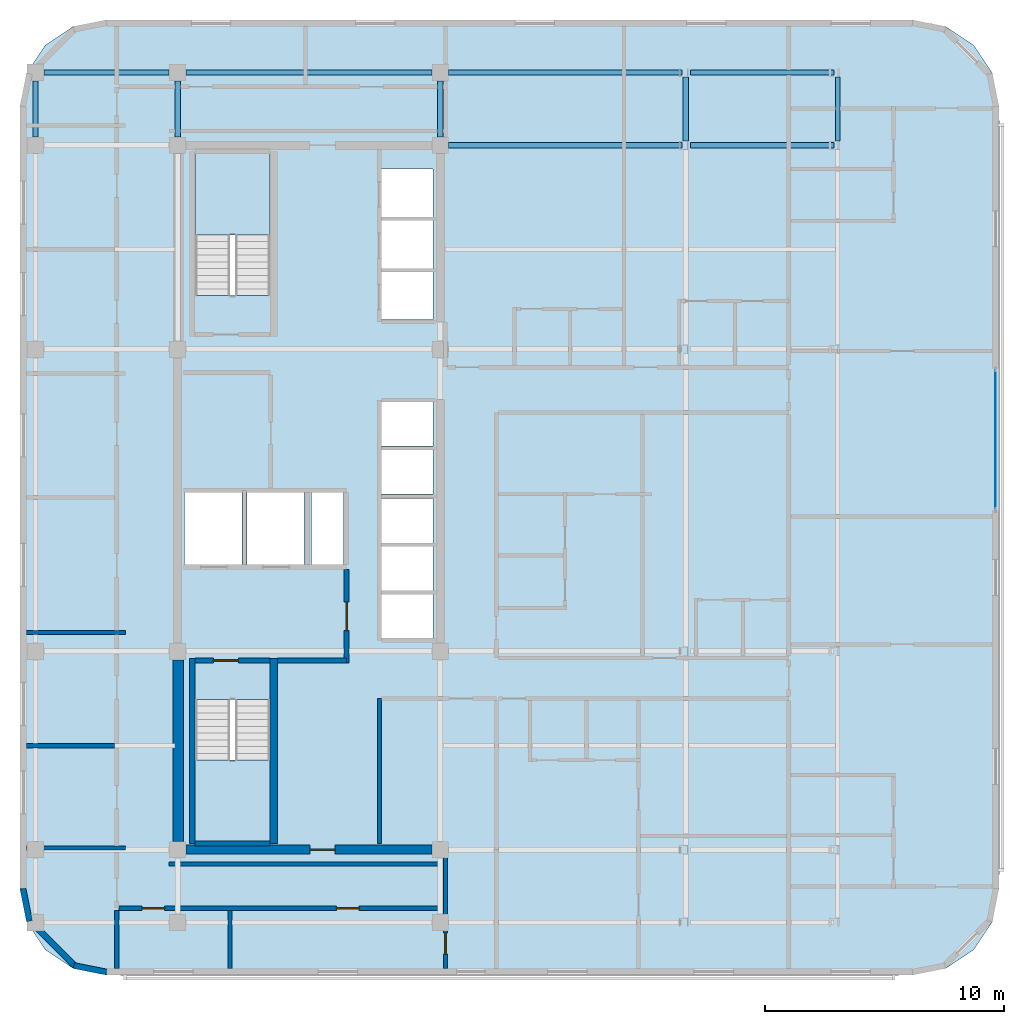
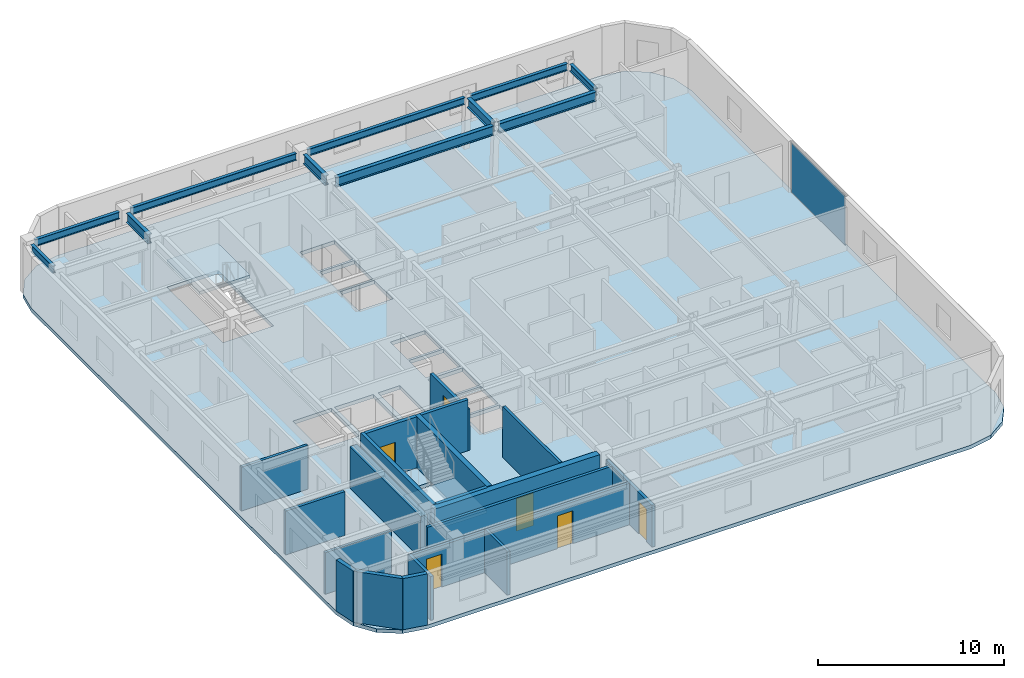
# One storey, part 3 of 11: 20 walls, 11 beams, 6 doors, 3 slabs, 1 plate, 6 openings, 3 elements without a shape of their own.
"""IFC4 building model written with IfcOpenShell, lengths in metres."""

from ifc_helpers import new_model, si_unit, direction, frame, frame_2d, origin, origin_2d, place, context, subcontext, project, spatial, polyline, rectangle, i_section, outline, extrude, material, layer, layer_set, material_profile, profile_set, type_object, element, fill, aggregate, save


model = new_model("IFC4")

# Units and contexts
model_context = context("Model", 3, precision=1e-05, world=origin(), true_north=direction((0.0, 1.0)))
body_context = subcontext(model_context, "Body", "Model", "MODEL_VIEW")
ifc_project = project(units=[si_unit("LENGTHUNIT", "METRE"), si_unit("AREAUNIT", "SQUARE_METRE"), si_unit("VOLUMEUNIT", "CUBIC_METRE"), si_unit("PLANEANGLEUNIT", "RADIAN"), si_unit("MASSUNIT", "GRAM", prefix="KILO")], contexts=[model_context])

# Site, building, storey
site_placement = place(None, origin())
site = spatial("IfcSite", under=ifc_project, at=site_placement, CompositionType="ELEMENT")
building_placement = place(site_placement, origin())
building = spatial("IfcBuilding", under=site, at=building_placement, Name="Ochreholt Gables", CompositionType="ELEMENT")
storey_placement = place(building_placement, frame((0.0, 0.0, 155.39990234375)))
storey = spatial("IfcBuildingStorey", under=building, at=storey_placement, Name="L40", CompositionType="ELEMENT", Elevation=155.39990234375)

# Beams
ifc_material_1 = material(Name="Steel CSA G40.21 350W", Category="steel")
ifc_material_profile_1 = material_profile(ifc_material_1, i_section(OverallWidth=0.22900390625, OverallDepth=0.612060546875, WebThickness=0.011962890625, FlangeThickness=0.01953125, at=origin_2d()), Name="W610X125")
ifc_profile_set_1 = profile_set([ifc_material_profile_1], Name="Steel CSA G40.21 350W")
beam_type_1 = type_object("IfcBeamType", Name="BM-G-W610B", PredefinedType="BEAM", material=ifc_profile_set_1)
beam_1_placement = place(storey_placement, frame((35.549560546875, 38.75, 3.05419921875), z_axis=(1.0, 0.0, 0.0), x_axis=(0.0, 1.0, 0.0)))
element("IfcBeam", 1, at=beam_1_placement, inside=storey, type_object=beam_type_1, Name="L40 Beam TBG-L40-C2EM-Y5", PredefinedType="BEAM", context=body_context, shape_type="SweptSolid", body=[
    extrude(i_section(OverallWidth=0.22900390625, OverallDepth=0.612060546875, WebThickness=0.011962890625, FlangeThickness=0.01953125, at=origin_2d()), origin(), (0.0, 0.0, 1.0), 9.77392578125),
])
beam_2_placement = place(storey_placement, frame((45.6787109375, 38.75, 3.05419921875), z_axis=(1.0, 0.0, 0.0), x_axis=(0.0, 1.0, 0.0)))
element("IfcBeam", 2, at=beam_2_placement, inside=storey, type_object=beam_type_1, Name="L40 Beam TBG-L40-EMEE-Y5", PredefinedType="BEAM", context=body_context, shape_type="SweptSolid", body=[
    extrude(i_section(OverallWidth=0.22900390625, OverallDepth=0.612060546875, WebThickness=0.011962890625, FlangeThickness=0.01953125, at=origin_2d()), origin(), (0.0, 0.0, 1.0), 6.0224609375),
])
for number, where, z_axis, x_axis, name in (
    (3, (24.199951171875, 39.099609375, 3.05419921875), (0.0, 1.0, 0.0), (-1.0, 0.0, 0.0), "L40 Beam TBN-L40-C1-Y5Y6"),
    (4, (35.199951171875, 39.099609375, 3.05419921875), (0.0, 1.0, 0.0), (-1.0, 0.0, 0.0), "L40 Beam TBN-L40-C2-Y5Y6"),
):
    element("IfcBeam", number, at=place(storey_placement, frame(where, z_axis=z_axis, x_axis=x_axis)), inside=storey, type_object=beam_type_1, Name=name, PredefinedType="BEAM", context=body_context, shape_type="SweptSolid", body=[
        extrude(i_section(OverallWidth=0.22900390625, OverallDepth=0.612060546875, WebThickness=0.011962890625, FlangeThickness=0.01953125, at=origin_2d()), origin(), (0.0, 0.0, 1.0), 2.350830078125),
    ])
beam_3_placement = place(storey_placement, frame((45.48388671875, 38.927490234375, 3.05419921875), z_axis=(0.0, 1.0, 0.0), x_axis=(-1.0, 0.0, 0.0)))
element("IfcBeam", 5, at=beam_3_placement, inside=storey, type_object=beam_type_1, Name="L40 Beam TBN-L40-EM-Y5Y6", PredefinedType="BEAM", context=body_context, shape_type="SweptSolid", body=[
    extrude(i_section(OverallWidth=0.22900390625, OverallDepth=0.612060546875, WebThickness=0.011962890625, FlangeThickness=0.01953125, at=origin_2d()), origin(), (0.0, 0.0, 1.0), 2.69482421875),
])
ifc_material_profile_2 = material_profile(ifc_material_1, i_section(OverallWidth=0.19189453125, OverallDepth=0.462890625, WebThickness=0.010498046875, FlangeThickness=0.017578125, at=origin_2d()), Name="W460X89")
ifc_profile_set_2 = profile_set([ifc_material_profile_2], Name="Steel CSA G40.21 350W")
beam_type_2 = type_object("IfcBeamType", Name="BM-SP-W460A", PredefinedType="SPANDREL", material=ifc_profile_set_2)
beam_4_placement = place(storey_placement, frame((18.599609375, 41.800048828125, 3.128662109375), z_axis=(1.0, 0.0, 0.0), x_axis=(0.0, 1.0, 0.0)))
element("IfcBeam", 6, at=beam_4_placement, inside=storey, type_object=beam_type_2, Name="L40 Beam TBG-L40-W3C1-Y6", PredefinedType="SPANDREL", context=body_context, shape_type="SweptSolid", body=[
    extrude(i_section(OverallWidth=0.19189453125, OverallDepth=0.462890625, WebThickness=0.010498046875, FlangeThickness=0.017578125, at=origin_2d()), origin(), (0.0, 0.0, 1.0), 5.250732421875),
])
beam_5_placement = place(storey_placement, frame((24.549560546875, 41.800048828125, 3.128662109375), z_axis=(1.0, 0.0, 0.0), x_axis=(0.0, 1.0, 0.0)))
element("IfcBeam", 7, at=beam_5_placement, inside=storey, type_object=beam_type_2, Name="L40 Beam TBG-L40-C1C2-Y6", PredefinedType="SPANDREL", context=body_context, shape_type="SweptSolid", body=[
    extrude(i_section(OverallWidth=0.19189453125, OverallDepth=0.462890625, WebThickness=0.010498046875, FlangeThickness=0.017578125, at=origin_2d()), origin(), (0.0, 0.0, 1.0), 10.30078125),
])
beam_6_placement = place(storey_placement, frame((35.549560546875, 41.800048828125, 3.128662109375), z_axis=(1.0, 0.0, 0.0), x_axis=(0.0, 1.0, 0.0)))
element("IfcBeam", 8, at=beam_6_placement, inside=storey, type_object=beam_type_2, Name="L40 Beam TBG-L40-C2EM-Y6", PredefinedType="SPANDREL", context=body_context, shape_type="SweptSolid", body=[
    extrude(i_section(OverallWidth=0.19189453125, OverallDepth=0.462890625, WebThickness=0.010498046875, FlangeThickness=0.017578125, at=origin_2d()), origin(), (0.0, 0.0, 1.0), 9.77392578125),
])
beam_7_placement = place(storey_placement, frame((45.6787109375, 41.800048828125, 3.128662109375), z_axis=(1.0, 0.0, 0.0), x_axis=(0.0, 1.0, 0.0)))
element("IfcBeam", 9, at=beam_7_placement, inside=storey, type_object=beam_type_2, Name="L40 Beam TBG-L40-EMEE-Y6", PredefinedType="SPANDREL", context=body_context, shape_type="SweptSolid", body=[
    extrude(i_section(OverallWidth=0.19189453125, OverallDepth=0.462890625, WebThickness=0.010498046875, FlangeThickness=0.017578125, at=origin_2d()), origin(), (0.0, 0.0, 1.0), 6.0224609375),
])
beam_8_placement = place(storey_placement, frame((18.25, 39.099609375, 3.128662109375), z_axis=(0.0, 1.0, 0.0), x_axis=(-1.0, 0.0, 0.0)))
element("IfcBeam", 10, at=beam_8_placement, inside=storey, type_object=beam_type_2, Name="L40 Beam TBN-L40-W3-Y5Y6", PredefinedType="SPANDREL", context=body_context, shape_type="SweptSolid", body=[
    extrude(i_section(OverallWidth=0.19189453125, OverallDepth=0.462890625, WebThickness=0.010498046875, FlangeThickness=0.017578125, at=origin_2d()), origin(), (0.0, 0.0, 1.0), 2.350830078125),
])
beam_9_placement = place(storey_placement, frame((51.850341796875, 38.927490234375, 3.128662109375), z_axis=(0.0, 1.0, 0.0), x_axis=(-1.0, 0.0, 0.0)))
element("IfcBeam", 11, at=beam_9_placement, inside=storey, type_object=beam_type_2, Name="L40 Beam TBN-L40-EE-Y5Y6", PredefinedType="SPANDREL", context=body_context, shape_type="SweptSolid", body=[
    extrude(i_section(OverallWidth=0.19189453125, OverallDepth=0.462890625, WebThickness=0.010498046875, FlangeThickness=0.017578125, at=origin_2d()), origin(), (0.0, 0.0, 1.0), 2.69482421875),
])

# Curtain wall, plate
ifc_material_2 = material(Name="Unitised Aluminium and Triple Glazing", Category="aluminium")
ifc_layer_1 = layer(ifc_material_2, 0.199951171875, Name="Unitised Aluminium and Triple Glazing")
ifc_layer_set_1 = layer_set([ifc_layer_1], Name="Unitised Aluminium and Triple Glazing")
curtain_wall_type = type_object("IfcCurtainWallType", Name="CW-SYS4", PredefinedType="NOTDEFINED", material=ifc_layer_set_1)
curtain_wall_placement = place(storey_placement, origin())
curtain_wall = element("IfcCurtainWall", 12, at=curtain_wall_placement, inside=storey, type_object=curtain_wall_type, Name="L40 East Unitised Curtain Wall", PredefinedType="NOTDEFINED")
ifc_material_3 = material(Name="Triple Low-E Insulating Glass", Category="glass")
ifc_layer_2 = layer(ifc_material_3, 0.035888671875, Name="Triple Low-E Insulating Glass")
ifc_layer_set_2 = layer_set([ifc_layer_2], Name="Triple Low-E Insulating Glass")
plate_type = type_object("IfcPlateType", Name="CW-PNL-36", PredefinedType="CURTAIN_PANEL", material=ifc_layer_set_2)
plate_placement = place(storey_placement, frame((58.4599609375, 26.425048828125, 0.065185546875), z_axis=(0.0, 0.0, 1.0), x_axis=(0.0, 1.0, 0.0)))
plate = element("IfcPlate", 13, at=plate_placement, type_object=plate_type, Name="CW-4 panel 1.1", PredefinedType="CURTAIN_PANEL", context=body_context, shape_type="SweptSolid", body=[
    extrude(rectangle(XDim=5.800048828125, YDim=0.035888671875, at=origin_2d()), origin(), (0.0, 0.0, 1.0), 3.22998046875),
])
aggregate(curtain_wall, [plate])

# Stair, slab
ifc_material_4 = material(Name="Concrete 40 MPa", Category="concrete")
stair_type_1 = type_object("IfcStairType", Name="STAIR-CORE-ST-1", PredefinedType="HALF_TURN_STAIR", material=ifc_material_4)
stair_1_placement = place(storey_placement, origin())
stair_1 = element("IfcStair", 14, at=stair_1_placement, inside=storey, type_object=stair_type_1, Name="L40 Core Exit Stair 1", PredefinedType="HALF_TURN_STAIR")
ifc_layer_3 = layer(ifc_material_4, 0.199951171875, Name="Concrete 40 MPa")
ifc_layer_set_3 = layer_set([ifc_layer_3], Name="Concrete 40 MPa")
slab_type_1 = type_object("IfcSlabType", Name="LANDING-RC200", PredefinedType="LANDING", material=ifc_layer_set_3)
slab_1_placement = place(storey_placement, frame((0.0, 0.0, 1.60009765625)))
slab_1 = element("IfcSlab", 15, at=slab_1_placement, type_object=slab_type_1, Name="ST-1 landing 1", PredefinedType="LANDING", context=body_context, shape_type="SweptSolid", body=[
    extrude(outline(polyline([(24.919921875, 13.001953125), (24.919921875, 9.52001953125), (28.080078125, 9.52001953125), (28.080078125, 13.001953125), (24.919921875, 13.001953125)])), origin(), (0.0, 0.0, 1.0), 0.199951171875),
])
aggregate(stair_1, [slab_1])

stair_type_2 = type_object("IfcStairType", Name="STAIR-CORE-ST-2", PredefinedType="HALF_TURN_STAIR", material=ifc_material_4)
stair_2_placement = place(storey_placement, origin())
stair_2 = element("IfcStair", 16, at=stair_2_placement, inside=storey, type_object=stair_type_2, Name="L40 Core Exit Stair 2", PredefinedType="HALF_TURN_STAIR")
slab_2_placement = place(storey_placement, frame((0.0, 0.0, 1.60009765625)))
slab_2 = element("IfcSlab", 17, at=slab_2_placement, type_object=slab_type_1, Name="ST-2 landing 1", PredefinedType="LANDING", context=body_context, shape_type="SweptSolid", body=[
    extrude(outline(polyline([(28.080078125, 34.998046875), (28.080078125, 38.47998046875), (24.919921875, 38.47998046875), (24.919921875, 34.998046875), (28.080078125, 34.998046875)])), origin(), (0.0, 0.0, 1.0), 0.199951171875),
])
aggregate(stair_2, [slab_2])

# Slab
ifc_layer_4 = layer(ifc_material_4, 0.239990234375, Name="Concrete 40 MPa")
ifc_layer_set_4 = layer_set([ifc_layer_4], Name="Concrete 40 MPa")
slab_type_2 = type_object("IfcSlabType", Name="SLAB-TWR-240", PredefinedType="FLOOR", material=ifc_layer_set_4)
slab_3_placement = place(storey_placement, frame((0.0, 0.0, -0.239990234375)))
element("IfcSlab", 18, at=slab_3_placement, inside=storey, type_object=slab_type_2, Name="L40 Structural Floor Slab", PredefinedType="FLOOR", context=body_context, shape_type="SweptSolid", body=[
    extrude(outline(polyline([(17.60009765625, 7.60009765625), (17.8740234375, 6.222412109375), (18.654296875, 5.054443359375), (19.822265625, 4.27392578125), (21.199951171875, 4.0), (55.0, 4.0), (56.377685546875, 4.27392578125), (57.545654296875, 5.054443359375), (58.325927734375, 6.222412109375), (58.60009765625, 7.60009765625), (58.60009765625, 40.39990234375), (58.325927734375, 41.777587890625), (57.545654296875, 42.945556640625), (56.377685546875, 43.72607421875), (55.0, 44.0), (21.199951171875, 44.0), (19.822265625, 43.72607421875), (18.654296875, 42.945556640625), (17.8740234375, 41.777587890625), (17.60009765625, 40.39990234375), (17.60009765625, 7.60009765625)]), holes=[polyline([(24.919921875, 15.539306640625), (24.919921875, 9.52001953125), (28.080078125, 9.52001953125), (28.080078125, 15.539306640625), (24.919921875, 15.539306640625)]), polyline([(28.080078125, 32.460693359375), (28.080078125, 38.47998046875), (24.919921875, 38.47998046875), (24.919921875, 32.460693359375), (28.080078125, 32.460693359375)]), polyline([(24.5, 21.199951171875), (26.89990234375, 21.199951171875), (26.89990234375, 24.199951171875), (24.5, 24.199951171875), (24.5, 21.199951171875)]), polyline([(27.10009765625, 21.199951171875), (29.5, 21.199951171875), (29.5, 24.199951171875), (27.10009765625, 24.199951171875), (27.10009765625, 21.199951171875)]), polyline([(32.75, 18.10009765625), (34.89990234375, 18.10009765625), (34.89990234375, 19.949951171875), (32.75, 19.949951171875), (32.75, 18.10009765625)]), polyline([(32.75, 20.10009765625), (34.89990234375, 20.10009765625), (34.89990234375, 21.949951171875), (32.75, 21.949951171875), (32.75, 20.10009765625)]), polyline([(32.75, 22.10009765625), (34.89990234375, 22.10009765625), (34.89990234375, 23.949951171875), (32.75, 23.949951171875), (32.75, 22.10009765625)]), polyline([(32.75, 24.14990234375), (34.89990234375, 24.14990234375), (34.89990234375, 26.0), (32.75, 26.0), (32.75, 24.14990234375)]), polyline([(32.75, 26.14990234375), (34.89990234375, 26.14990234375), (34.89990234375, 28.0), (32.75, 28.0), (32.75, 26.14990234375)]), polyline([(32.75, 31.449951171875), (34.89990234375, 31.449951171875), (34.89990234375, 33.449951171875), (32.75, 33.449951171875), (32.75, 31.449951171875)]), polyline([(32.75, 33.60009765625), (34.89990234375, 33.60009765625), (34.89990234375, 35.60009765625), (32.75, 35.60009765625), (32.75, 33.60009765625)]), polyline([(32.75, 35.75), (34.89990234375, 35.75), (34.89990234375, 37.75), (32.75, 37.75), (32.75, 35.75)]), polyline([(29.800048828125, 21.199951171875), (31.14990234375, 21.199951171875), (31.14990234375, 24.199951171875), (29.800048828125, 24.199951171875), (29.800048828125, 21.199951171875)])]), origin(), (0.0, 0.0, 1.0), 0.239990234375),
])

# Wall, opening, door
ifc_material_5 = material(Name="Concrete 50 MPa", Category="concrete")
ifc_layer_5 = layer(ifc_material_5, 0.3798828125, Name="Concrete 50 MPa")
ifc_layer_set_5 = layer_set([ifc_layer_5], Name="Concrete 50 MPa")
wall_type_1 = type_object("IfcWallType", Name="WALL-CSW-380", PredefinedType="SHEAR", material=ifc_layer_set_5)
wall_1_placement = place(storey_placement, frame((24.550048828125, 9.25, 0.0), z_axis=(0.0, 0.0, 1.0), x_axis=(1.0, 0.0, 0.0)))
wall_1 = element("IfcWall", 19, at=wall_1_placement, inside=storey, type_object=wall_type_1, Name="L40 Core South Shear Wall", PredefinedType="SHEAR", context=body_context, shape_type="SweptSolid", body=[
    extrude(rectangle(XDim=10.300048828125, YDim=0.3798828125, at=frame_2d((5.14990234375, 0.0))), origin(), (0.0, 0.0, 1.0), 3.360107421875),
])
opening_1_placement = place(wall_1_placement, frame((5.199951171875, 0.0, 0.0)))
opening_1 = element("IfcOpeningElement", 20, at=opening_1_placement, cuts=wall_1, Name="Opening D-FLB", PredefinedType="OPENING", context=body_context, shape_type="SweptSolid", body=[
    extrude(rectangle(XDim=1.050048828125, YDim=2.14990234375, at=frame_2d((0.52490234375, 1.074951171875))), frame((0.0, 0.199951171875, 0.0), z_axis=(0.0, -1.0, 0.0), x_axis=(1.0, 0.0, 0.0)), (0.0, 0.0, 1.0), 0.39990234375),
])
ifc_material_6 = material(Name="Hollow Metal Steel", Category="steel")
door_type_1 = type_object("IfcDoorType", Name="DR-INT-FLB1050", OperationType="NOTDEFINED", PredefinedType="DOOR", material=ifc_material_6)
door_1_placement = place(opening_1_placement, origin())
door_1 = element("IfcDoor", 21, at=door_1_placement, inside=storey, type_object=door_type_1, Name="L40 Door D-C2CRS-L40", OperationType="SINGLE_SWING_LEFT", OverallHeight=2.14990234375, OverallWidth=1.050048828125, PredefinedType="DOOR", context=body_context, shape_type="SweptSolid", body=[
    extrude(rectangle(XDim=1.050048828125, YDim=2.14990234375, at=frame_2d((0.52490234375, 1.074951171875))), frame((0.0, 0.02490234375, 0.0), z_axis=(0.0, -1.0, 0.0), x_axis=(1.0, 0.0, 0.0)), (0.0, 0.0, 1.0), 0.050048828125),
])
fill(opening_1, door_1)

# Walls
ifc_material_7 = material(Name="Concrete 60 MPa", Category="concrete")
ifc_layer_6 = layer(ifc_material_7, 0.449951171875, Name="Concrete 60 MPa")
ifc_layer_set_6 = layer_set([ifc_layer_6], Name="Concrete 60 MPa")
wall_type_2 = type_object("IfcWallType", Name="WALL-CSW-450", PredefinedType="SHEAR", material=ifc_layer_set_6)
wall_2_placement = place(storey_placement, frame((24.22509765625, 9.60009765625, 0.0), z_axis=(0.0, 0.0, 1.0), x_axis=(0.0, 1.0, 0.0)))
element("IfcWall", 22, at=wall_2_placement, inside=storey, type_object=wall_type_2, Name="L40 Core West Shear Wall WS", PredefinedType="SHEAR", context=body_context, shape_type="SweptSolid", body=[
    extrude(rectangle(XDim=7.599853515625, YDim=0.449951171875, at=frame_2d((3.7998046875, 0.0))), origin(), (0.0, 0.0, 1.0), 2.748046875),
])
ifc_material_8 = material(Name="Precast concrete 40 MPa", Category="concrete")
ifc_layer_7 = layer(ifc_material_8, 0.25, Name="Precast concrete 40 MPa")
ifc_layer_set_7 = layer_set([ifc_layer_7], Name="Precast concrete 40 MPa")
wall_type_3 = type_object("IfcWallType", Name="WALL-EXT-CNR", PredefinedType="SOLIDWALL", material=ifc_layer_set_7)
wall_3_placement = place(storey_placement, frame((17.72412109375, 7.616455078125, 0.0), z_axis=(0.0, 0.0, 1.0), x_axis=(0.195135625965, -0.9807762678, 0.0)))
element("IfcWall", 23, at=wall_3_placement, inside=storey, type_object=wall_type_3, Name="L40 Rounded Corner Wall SW-1", PredefinedType="SOLIDWALL", context=body_context, shape_type="SweptSolid", body=[
    extrude(rectangle(XDim=1.388671875, YDim=0.25, at=frame_2d((0.6943359375, 0.0))), origin(), (0.0, 0.0, 1.0), 3.360107421875),
])
wall_4_placement = place(storey_placement, frame((17.968017578125, 6.304931640625, 0.0), z_axis=(0.0, 0.0, 1.0), x_axis=(0.707106781187, -0.707106781187, 0.0)))
element("IfcWall", 24, at=wall_4_placement, inside=storey, type_object=wall_type_3, Name="L40 Rounded Corner Wall SW-2", PredefinedType="SOLIDWALL", context=body_context, shape_type="SweptSolid", body=[
    extrude(rectangle(XDim=2.7392578125, YDim=0.25, at=frame_2d((1.36962890625, 0.0))), origin(), (0.0, 0.0, 1.0), 3.360107421875),
])
wall_5_placement = place(storey_placement, frame((19.8544921875, 4.39501953125, 0.0), z_axis=(0.0, 0.0, 1.0), x_axis=(0.980809899341, -0.19496651342, 0.0)))
element("IfcWall", 25, at=wall_5_placement, inside=storey, type_object=wall_type_3, Name="L40 Rounded Corner Wall SW-3", PredefinedType="SOLIDWALL", context=body_context, shape_type="SweptSolid", body=[
    extrude(rectangle(XDim=1.388671875, YDim=0.25, at=frame_2d((0.6943359375, 0.0))), origin(), (0.0, 0.0, 1.0), 3.360107421875),
])
ifc_layer_8 = layer(ifc_material_4, 0.199951171875, Name="Concrete 40 MPa")
ifc_layer_set_8 = layer_set([ifc_layer_8], Name="Concrete 40 MPa")
wall_type_4 = type_object("IfcWallType", Name="WALL-INT-CF200", PredefinedType="STANDARD", material=ifc_layer_set_8)
wall_6_placement = place(storey_placement, frame((28.3798828125, 17.169921875, 0.0), z_axis=(0.0, 0.0, 1.0), x_axis=(1.0, 0.0, 0.0)))
element("IfcWall", 26, at=wall_6_placement, inside=storey, type_object=wall_type_4, Name="L40 Interior Wall WI-FFS-L40", PredefinedType="STANDARD", context=body_context, shape_type="SweptSolid", body=[
    extrude(rectangle(XDim=2.900146484375, YDim=0.199951171875, at=frame_2d((1.4501953125, 0.0))), origin(), (0.0, 0.0, 1.0), 3.360107421875),
])

# Wall, opening, door
wall_7_placement = place(storey_placement, frame((31.280029296875, 17.070068359375, 0.0), z_axis=(0.0, 0.0, 1.0), x_axis=(0.0, 1.0, 0.0)))
wall_7 = element("IfcWall", 27, at=wall_7_placement, inside=storey, type_object=wall_type_4, Name="L40 Interior Wall WI-FFE-L40", PredefinedType="STANDARD", context=body_context, shape_type="SweptSolid", body=[
    extrude(rectangle(XDim=3.919921875, YDim=0.199951171875, at=frame_2d((1.9599609375, 0.0))), origin(), (0.0, 0.0, 1.0), 2.72998046875),
])
opening_2_placement = place(wall_7_placement, frame((1.35009765625, 0.0, 0.0)))
opening_2 = element("IfcOpeningElement", 28, at=opening_2_placement, cuts=wall_7, Name="Opening D-FFL", PredefinedType="OPENING", context=body_context, shape_type="SweptSolid", body=[
    extrude(rectangle(XDim=1.199951171875, YDim=2.14990234375, at=frame_2d((0.60009765625, 1.074951171875))), frame((0.0, 0.10986328125, 0.0), z_axis=(0.0, -1.0, 0.0), x_axis=(1.0, 0.0, 0.0)), (0.0, 0.0, 1.0), 0.219970703125),
])
door_type_2 = type_object("IfcDoorType", Name="DR-INT-FFL1200", OperationType="NOTDEFINED", PredefinedType="DOOR", material=ifc_material_6)
door_2_placement = place(opening_2_placement, origin())
door_2 = element("IfcDoor", 29, at=door_2_placement, inside=storey, type_object=door_type_2, Name="L40 Door D-FFL-L40", OperationType="SINGLE_SWING_LEFT", OverallHeight=2.14990234375, OverallWidth=1.199951171875, PredefinedType="DOOR", context=body_context, shape_type="SweptSolid", body=[
    extrude(rectangle(XDim=1.199951171875, YDim=2.14990234375, at=frame_2d((0.60009765625, 1.074951171875))), frame((0.0, 0.02490234375, 0.0), z_axis=(0.0, -1.0, 0.0), x_axis=(1.0, 0.0, 0.0)), (0.0, 0.0, 1.0), 0.050048828125),
])
fill(opening_2, door_2)

# Wall, openings, doors
ifc_material_9 = material(Name="Fire-Rated Gypsum Acoustic Partition", Category="gypsum")
ifc_layer_9 = layer(ifc_material_9, 0.179931640625, Name="Fire-Rated Gypsum Acoustic Partition")
ifc_layer_set_9 = layer_set([ifc_layer_9], Name="Fire-Rated Gypsum Acoustic Partition")
wall_type_5 = type_object("IfcWallType", Name="WALL-INT-CR180", PredefinedType="STANDARD", material=ifc_layer_set_9)
wall_8_placement = place(storey_placement, frame((21.739990234375, 6.800048828125, 0.0), z_axis=(0.0, 0.0, 1.0), x_axis=(1.0, 0.0, 0.0)))
wall_8 = element("IfcWall", 30, at=wall_8_placement, inside=storey, type_object=wall_type_5, Name="L40 Interior Wall WI-C2WCS-L40", PredefinedType="STANDARD", context=body_context, shape_type="SweptSolid", body=[
    extrude(rectangle(XDim=13.679931640625, YDim=0.179931640625, at=frame_2d((6.83984375, 0.0))), origin(), (0.0, 0.0, 1.0), 2.72998046875),
])
opening_3_placement = place(wall_8_placement, frame((0.969970703125, 0.0, 0.0)))
opening_3 = element("IfcOpeningElement", 31, at=opening_3_placement, cuts=wall_8, Name="Opening D-GN1", PredefinedType="OPENING", context=body_context, shape_type="SweptSolid", body=[
    extrude(rectangle(XDim=0.949951171875, YDim=2.14990234375, at=frame_2d((0.47509765625, 1.074951171875))), frame((0.0, 0.099853515625, 0.0), z_axis=(0.0, -1.0, 0.0), x_axis=(1.0, 0.0, 0.0)), (0.0, 0.0, 1.0), 0.199951171875),
])
opening_4_placement = place(wall_8_placement, frame((9.110107421875, 0.0, 0.0)))
opening_4 = element("IfcOpeningElement", 32, at=opening_4_placement, cuts=wall_8, Name="Opening D-GN1", PredefinedType="OPENING", context=body_context, shape_type="SweptSolid", body=[
    extrude(rectangle(XDim=0.949951171875, YDim=2.14990234375, at=frame_2d((0.47509765625, 1.074951171875))), frame((0.0, 0.099853515625, 0.0), z_axis=(0.0, -1.0, 0.0), x_axis=(1.0, 0.0, 0.0)), (0.0, 0.0, 1.0), 0.199951171875),
])
ifc_material_10 = material(Name="Engineered Oak Timber", Category="wood")
door_type_3 = type_object("IfcDoorType", Name="DR-INT-GEN950", OperationType="NOTDEFINED", PredefinedType="DOOR", material=ifc_material_10)
door_3_placement = place(opening_3_placement, origin())
door_3 = element("IfcDoor", 33, at=door_3_placement, inside=storey, type_object=door_type_3, Name="L40 Door D-C2STL1-L40", OperationType="SINGLE_SWING_LEFT", OverallHeight=2.14990234375, OverallWidth=0.949951171875, PredefinedType="DOOR", context=body_context, shape_type="SweptSolid", body=[
    extrude(rectangle(XDim=0.949951171875, YDim=2.14990234375, at=frame_2d((0.47509765625, 1.074951171875))), frame((0.0, 0.02490234375, 0.0), z_axis=(0.0, -1.0, 0.0), x_axis=(1.0, 0.0, 0.0)), (0.0, 0.0, 1.0), 0.050048828125),
])
fill(opening_3, door_3)
door_4_placement = place(opening_4_placement, origin())
door_4 = element("IfcDoor", 34, at=door_4_placement, inside=storey, type_object=door_type_3, Name="L40 Door D-C2STL2-L40", OperationType="SINGLE_SWING_RIGHT", OverallHeight=2.14990234375, OverallWidth=0.949951171875, PredefinedType="DOOR", context=body_context, shape_type="SweptSolid", body=[
    extrude(rectangle(XDim=0.949951171875, YDim=2.14990234375, at=frame_2d((0.47509765625, 1.074951171875))), frame((0.0, 0.02490234375, 0.0), z_axis=(0.0, -1.0, 0.0), x_axis=(1.0, 0.0, 0.0)), (0.0, 0.0, 1.0), 0.050048828125),
])
fill(opening_4, door_4)

# Walls
wall_9_placement = place(storey_placement, frame((23.85009765625, 8.64990234375, 0.0), z_axis=(0.0, 0.0, 1.0), x_axis=(1.0, 0.0, 0.0)))
element("IfcWall", 35, at=wall_9_placement, inside=storey, type_object=wall_type_5, Name="L40 Interior Wall WI-C2WCS2-L40", PredefinedType="STANDARD", context=body_context, shape_type="SweptSolid", body=[
    extrude(rectangle(XDim=11.56982421875, YDim=0.179931640625, at=frame_2d((5.784912109375, 0.0))), origin(), (0.0, 0.0, 1.0), 2.72998046875),
])
ifc_material_11 = material(Name="Double-Stud Acoustic Demising Wall", Category="gypsum")
ifc_layer_10 = layer(ifc_material_11, 0.179931640625, Name="Double-Stud Acoustic Demising Wall")
ifc_layer_set_10 = layer_set([ifc_layer_10], Name="Double-Stud Acoustic Demising Wall")
wall_type_6 = type_object("IfcWallType", Name="WALL-INT-DM180", PredefinedType="PARTITIONING", material=ifc_layer_set_10)
wall_10_placement = place(storey_placement, frame((21.64990234375, 4.280029296875, 0.0), z_axis=(0.0, 0.0, 1.0), x_axis=(0.0, 1.0, 0.0)))
element("IfcWall", 36, at=wall_10_placement, inside=storey, type_object=wall_type_6, Name="L40 Interior Wall WI-C2WWS-L40", PredefinedType="PARTITIONING", context=body_context, shape_type="SweptSolid", body=[
    extrude(rectangle(XDim=2.429931640625, YDim=0.179931640625, at=frame_2d((1.21484375, 0.0))), origin(), (0.0, 0.0, 1.0), 2.879150390625),
])

# Wall, opening, door
wall_11_placement = place(storey_placement, frame((35.419921875, 4.280029296875, 0.0), z_axis=(0.0, 0.0, 1.0), x_axis=(0.0, 1.0, 0.0)))
wall_11 = element("IfcWall", 37, at=wall_11_placement, inside=storey, type_object=wall_type_6, Name="L40 Interior Wall WI-C2SES-L40", PredefinedType="PARTITIONING", context=body_context, shape_type="SweptSolid", body=[
    extrude(rectangle(XDim=4.969970703125, YDim=0.179931640625, at=frame_2d((2.48486328125, 0.0))), origin(), (0.0, 0.0, 1.0), 2.72998046875),
])
opening_5_placement = place(wall_11_placement, frame((0.590087890625, 0.0, 0.0)))
opening_5 = element("IfcOpeningElement", 38, at=opening_5_placement, cuts=wall_11, Name="Opening D-GN2", PredefinedType="OPENING", context=body_context, shape_type="SweptSolid", body=[
    extrude(rectangle(XDim=0.8798828125, YDim=2.1201171875, at=frame_2d((0.43994140625, 1.06005859375))), frame((0.0, 0.099853515625, 0.0), z_axis=(0.0, -1.0, 0.0), x_axis=(1.0, 0.0, 0.0)), (0.0, 0.0, 1.0), 0.199951171875),
])
door_type_4 = type_object("IfcDoorType", Name="DR-INT-GEN880", OperationType="NOTDEFINED", PredefinedType="DOOR", material=ifc_material_10)
door_5_placement = place(opening_5_placement, origin())
door_5 = element("IfcDoor", 39, at=door_5_placement, inside=storey, type_object=door_type_4, Name="L40 Door D-C2SPS-L40", OperationType="SINGLE_SWING_LEFT", OverallHeight=2.1201171875, OverallWidth=0.8798828125, PredefinedType="DOOR", context=body_context, shape_type="SweptSolid", body=[
    extrude(rectangle(XDim=0.8798828125, YDim=2.1201171875, at=frame_2d((0.43994140625, 1.06005859375))), frame((0.0, 0.02490234375, 0.0), z_axis=(0.0, -1.0, 0.0), x_axis=(1.0, 0.0, 0.0)), (0.0, 0.0, 1.0), 0.050048828125),
])
fill(opening_5, door_5)

# Walls
wall_12_placement = place(storey_placement, frame((17.8798828125, 13.60009765625, 0.0), z_axis=(0.0, 0.0, 1.0), x_axis=(1.0, 0.0, 0.0)))
element("IfcWall", 40, at=wall_12_placement, inside=storey, type_object=wall_type_6, Name="L40 Interior Wall WI-C2UDW2-L40", PredefinedType="PARTITIONING", context=body_context, shape_type="SweptSolid", body=[
    extrude(rectangle(XDim=3.68017578125, YDim=0.179931640625, at=frame_2d((1.840087890625, 0.0))), origin(), (0.0, 0.0, 1.0), 2.879150390625),
])
ifc_material_12 = material(Name="Gypsum Acoustic Stud Partition", Category="gypsum")
ifc_layer_11 = layer(ifc_material_12, 0.1650390625, Name="Gypsum Acoustic Stud Partition")
ifc_layer_set_11 = layer_set([ifc_layer_11], Name="Gypsum Acoustic Stud Partition")
wall_type_7 = type_object("IfcWallType", Name="WALL-INT-PT165", PredefinedType="PARTITIONING", material=ifc_layer_set_11)
wall_13_placement = place(storey_placement, frame((32.64990234375, 9.5, 0.0), z_axis=(0.0, 0.0, 1.0), x_axis=(0.0, 1.0, 0.0)))
element("IfcWall", 41, at=wall_13_placement, inside=storey, type_object=wall_type_7, Name="L40 Interior Wall WI-RCL-W-L40", PredefinedType="PARTITIONING", context=body_context, shape_type="SweptSolid", body=[
    extrude(rectangle(XDim=6.080078125, YDim=0.1650390625, at=frame_2d((3.0400390625, 0.0))), origin(), (0.0, 0.0, 1.0), 3.360107421875),
])
wall_14_placement = place(storey_placement, frame((17.8798828125, 9.324951171875, 0.0), z_axis=(0.0, 0.0, 1.0), x_axis=(1.0, 0.0, 0.0)))
element("IfcWall", 42, at=wall_14_placement, inside=storey, type_object=wall_type_7, Name="L40 Interior Wall WU-L40W1-SDV", PredefinedType="PARTITIONING", context=body_context, shape_type="SweptSolid", body=[
    extrude(rectangle(XDim=4.130126953125, YDim=0.1650390625, at=frame_2d((2.06494140625, 0.0))), origin(), (0.0, 0.0, 1.0), 2.72998046875),
])
wall_15_placement = place(storey_placement, frame((17.8798828125, 18.35009765625, 0.0), z_axis=(0.0, 0.0, 1.0), x_axis=(1.0, 0.0, 0.0)))
element("IfcWall", 43, at=wall_15_placement, inside=storey, type_object=wall_type_7, Name="L40 Interior Wall WU-L40W2-SDV", PredefinedType="PARTITIONING", context=body_context, shape_type="SweptSolid", body=[
    extrude(rectangle(XDim=4.130126953125, YDim=0.1650390625, at=frame_2d((2.06494140625, 0.0))), origin(), (0.0, 0.0, 1.0), 2.879150390625),
])
wall_16_placement = place(storey_placement, frame((26.39990234375, 4.280029296875, 0.0), z_axis=(0.0, 0.0, 1.0), x_axis=(0.0, 1.0, 0.0)))
element("IfcWall", 44, at=wall_16_placement, inside=storey, type_object=wall_type_7, Name="L40 Interior Wall WI-C2PKS-L40", PredefinedType="PARTITIONING", context=body_context, shape_type="SweptSolid", body=[
    extrude(rectangle(XDim=2.429931640625, YDim=0.1650390625, at=frame_2d((1.21484375, 0.0))), origin(), (0.0, 0.0, 1.0), 2.879150390625),
])
ifc_layer_12 = layer(ifc_material_7, 0.300048828125, Name="Concrete 60 MPa")
ifc_layer_set_12 = layer_set([ifc_layer_12], Name="Concrete 60 MPa")
wall_type_8 = type_object("IfcWallType", Name="WALL-SPN-300", PredefinedType="SHEAR", material=ifc_layer_set_12)
wall_17_placement = place(storey_placement, frame((28.22998046875, 9.5, 0.0), z_axis=(0.0, 0.0, 1.0), x_axis=(0.0, 1.0, 0.0)))
element("IfcWall", 45, at=wall_17_placement, inside=storey, type_object=wall_type_8, Name="L40 Core South Spine Shear Wall", PredefinedType="SHEAR", context=body_context, shape_type="SweptSolid", body=[
    extrude(rectangle(XDim=7.760009765625, YDim=0.300048828125, at=frame_2d((3.8798828125, 0.0))), origin(), (0.0, 0.0, 1.0), 3.360107421875),
])
ifc_layer_13 = layer(ifc_material_5, 0.219970703125, Name="Concrete 50 MPa")
ifc_layer_set_13 = layer_set([ifc_layer_13], Name="Concrete 50 MPa")
wall_type_9 = type_object("IfcWallType", Name="WALL-STW-220", PredefinedType="SHEAR", material=ifc_layer_set_13)
wall_18_placement = place(storey_placement, frame((24.81005859375, 9.5, 0.0), z_axis=(0.0, 0.0, 1.0), x_axis=(0.0, 1.0, 0.0)))
element("IfcWall", 46, at=wall_18_placement, inside=storey, type_object=wall_type_9, Name="L40 Exit Stair 1 West Wall", PredefinedType="SHEAR", context=body_context, shape_type="SweptSolid", body=[
    extrude(rectangle(XDim=7.760009765625, YDim=0.219970703125, at=frame_2d((3.8798828125, 0.0))), origin(), (0.0, 0.0, 1.0), 3.360107421875),
])
wall_19_placement = place(storey_placement, frame((24.919921875, 9.510009765625, 0.0), z_axis=(0.0, 0.0, 1.0), x_axis=(1.0, 0.0, 0.0)))
element("IfcWall", 47, at=wall_19_placement, inside=storey, type_object=wall_type_9, Name="L40 Exit Stair 1 South Wall", PredefinedType="SHEAR", context=body_context, shape_type="SweptSolid", body=[
    extrude(rectangle(XDim=3.16015625, YDim=0.219970703125, at=frame_2d((1.580078125, 0.0))), origin(), (0.0, 0.0, 1.0), 3.360107421875),
])

# Wall, opening, door
wall_20_placement = place(storey_placement, frame((24.919921875, 17.169921875, 0.0), z_axis=(0.0, 0.0, 1.0), x_axis=(1.0, 0.0, 0.0)))
wall_20 = element("IfcWall", 48, at=wall_20_placement, inside=storey, type_object=wall_type_9, Name="L40 Exit Stair 1 North Wall", PredefinedType="SHEAR", context=body_context, shape_type="SweptSolid", body=[
    extrude(rectangle(XDim=3.16015625, YDim=0.219970703125, at=frame_2d((1.580078125, 0.0))), origin(), (0.0, 0.0, 1.0), 3.360107421875),
])
opening_6_placement = place(wall_20_placement, frame((0.780029296875, 0.0, 0.0)))
opening_6 = element("IfcOpeningElement", 49, at=opening_6_placement, cuts=wall_20, Name="Opening D-STC", PredefinedType="OPENING", context=body_context, shape_type="SweptSolid", body=[
    extrude(rectangle(XDim=1.050048828125, YDim=2.14990234375, at=frame_2d((0.52490234375, 1.074951171875))), frame((0.0, 0.119873046875, 0.0), z_axis=(0.0, -1.0, 0.0), x_axis=(1.0, 0.0, 0.0)), (0.0, 0.0, 1.0), 0.239990234375),
])
door_type_5 = type_object("IfcDoorType", Name="DR-INT-ST1050", OperationType="NOTDEFINED", PredefinedType="DOOR", material=ifc_material_6)
door_6_placement = place(opening_6_placement, frame((1.050048828125, 0.0, 0.0), z_axis=(0.0, 0.0, 1.0), x_axis=(-1.0, 0.0, 0.0)))
door_6 = element("IfcDoor", 50, at=door_6_placement, inside=storey, type_object=door_type_5, Name="L40 Door D-ST1-L40", OperationType="SINGLE_SWING_LEFT", OverallHeight=2.14990234375, OverallWidth=1.050048828125, PredefinedType="DOOR", context=body_context, shape_type="SweptSolid", body=[
    extrude(rectangle(XDim=1.050048828125, YDim=2.14990234375, at=frame_2d((0.52490234375, 1.074951171875))), frame((0.0, 0.02490234375, 0.0), z_axis=(0.0, -1.0, 0.0), x_axis=(1.0, 0.0, 0.0)), (0.0, 0.0, 1.0), 0.050048828125),
])
fill(opening_6, door_6)

save(model, "model.ifc")
